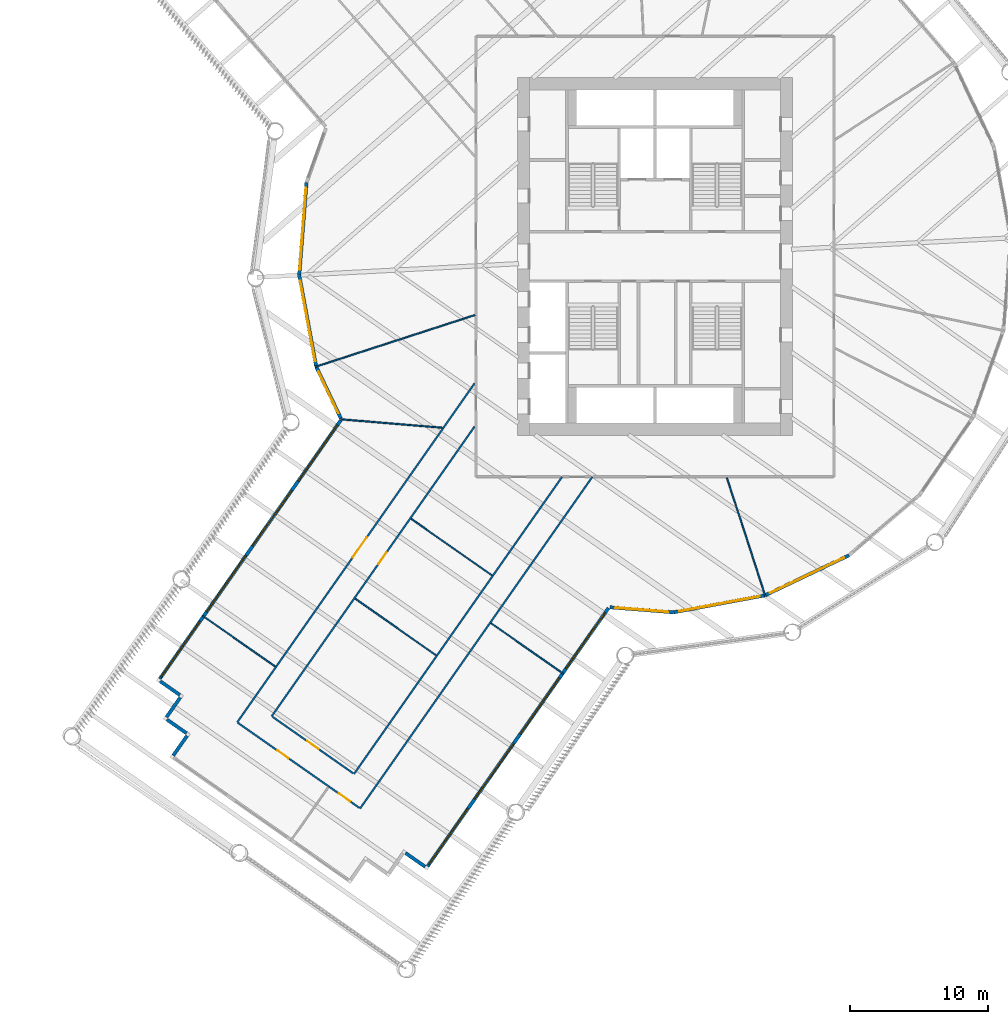
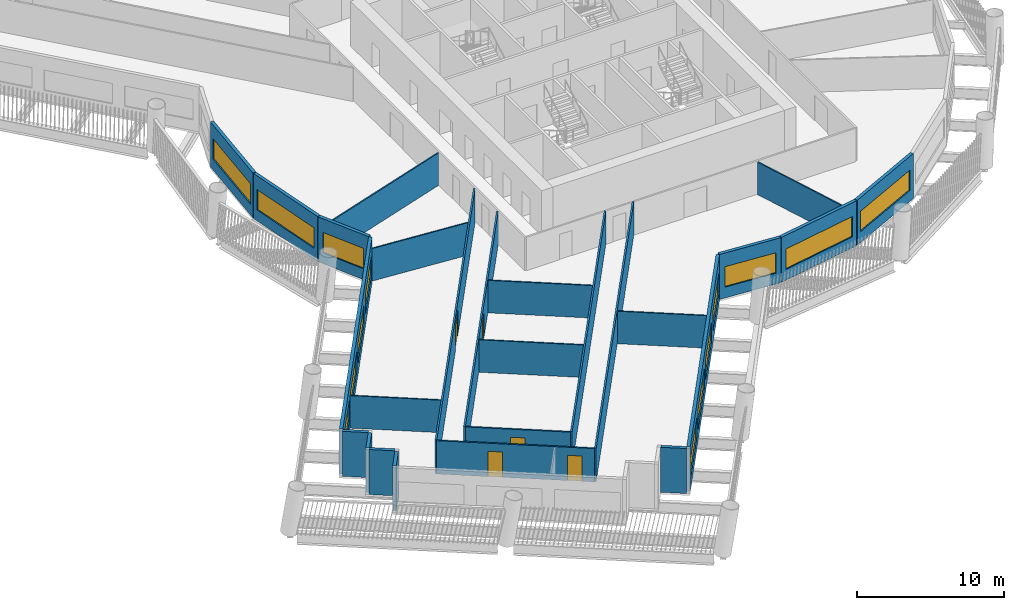
# One storey, part 3 of 15: 26 walls, 14 windows, 5 doors, 19 openings.
"""IFC4 building model written with IfcOpenShell, lengths in metres."""

from ifc_helpers import new_model, si_unit, direction, frame, frame_2d, origin, place, context, subcontext, project, spatial, rectangle, extrude, material, layer, layer_set, type_object, element, fill, save


model = new_model("IFC4")

# Units and contexts
model_context = context("Model", 3, precision=1e-05, world=origin(), true_north=direction((0.0, 1.0)))
body_context = subcontext(model_context, "Body", "Model", "MODEL_VIEW")
ifc_project = project(units=[si_unit("LENGTHUNIT", "METRE"), si_unit("AREAUNIT", "SQUARE_METRE"), si_unit("VOLUMEUNIT", "CUBIC_METRE"), si_unit("PLANEANGLEUNIT", "RADIAN"), si_unit("MASSUNIT", "GRAM", prefix="KILO")], contexts=[model_context])

# Site, building, storey
site_placement = place(None, origin())
site = spatial("IfcSite", under=ifc_project, at=site_placement, CompositionType="ELEMENT")
building_placement = place(site_placement, origin())
building = spatial("IfcBuilding", under=site, at=building_placement, Name="Tarsis Ring Headquarters", CompositionType="ELEMENT")
storey_placement = place(building_placement, frame((0.0, 0.0, 51.699951171875)))
storey = spatial("IfcBuildingStorey", under=building, at=storey_placement, Name="L10", CompositionType="ELEMENT", Elevation=51.699951171875)

# Walls
ifc_material_1 = material(Name="Gypsum board on steel studs", Category="steel")
ifc_layer_1 = layer(ifc_material_1, 0.10009765625)
ifc_layer_set_1 = layer_set([ifc_layer_1], Name="FL partition 100 unrated")
wall_type_1 = type_object("IfcWallType", Name="FL partition 100 unrated", PredefinedType="PARTITIONING", material=ifc_layer_set_1)
wall_1_placement = place(storey_placement, frame((-24.677978515625, -8.018310546875, 0.0), z_axis=(0.0, 0.0, 1.0), x_axis=(0.951059509412, 0.309007782356, 0.0)))
element("IfcWall", 1, at=wall_1_placement, inside=storey, type_object=wall_type_1, Name="Partition PW3", PredefinedType="PARTITIONING", context=body_context, shape_type="SweptSolid", body=[
    extrude(rectangle(XDim=12.19873046875, YDim=0.10009765625, at=frame_2d((6.099365234375, 0.0))), origin(), (0.0, 0.0, 1.0), 2.699951171875),
])
wall_2_placement = place(storey_placement, frame((5.223388671875, -16.076171875, 0.0), z_axis=(0.0, 0.0, 1.0), x_axis=(0.309019541971, -0.951055688527, 0.0)))
element("IfcWall", 2, at=wall_2_placement, inside=storey, type_object=wall_type_1, Name="Partition PW3", PredefinedType="PARTITIONING", context=body_context, shape_type="SweptSolid", body=[
    extrude(rectangle(XDim=9.04443359375, YDim=0.10009765625, at=frame_2d((4.522216796875, 0.0))), origin(), (0.0, 0.0, 1.0), 2.699951171875),
])
for number, where, z_axis, x_axis, name in (
    (3, (-21.768798828125, -24.847412109375, 0.0), (0.0, 0.0, 1.0), (0.819137396013, -0.573597355689, 0.0), "Partition PW3"),
    (4, (-17.7080078125, -19.048095703125, 0.0), (0.0, 0.0, 1.0), (0.819164634733, -0.573558454914, 0.0), "Partition PW3"),
):
    element("IfcWall", number, at=place(storey_placement, frame(where, z_axis=z_axis, x_axis=x_axis)), inside=storey, type_object=wall_type_1, Name=name, PredefinedType="PARTITIONING", context=body_context, shape_type="SweptSolid", body=[
        extrude(rectangle(XDim=7.159912109375, YDim=0.10009765625, at=frame_2d((3.580078125, 0.0))), origin(), (0.0, 0.0, 1.0), 2.699951171875),
    ])
wall_3_placement = place(storey_placement, frame((-22.833984375, -11.81982421875, 0.0), z_axis=(0.0, 0.0, 1.0), x_axis=(0.996565516824, -0.082808035102, 0.0)))
element("IfcWall", 5, at=wall_3_placement, inside=storey, type_object=wall_type_1, Name="Partition PW3", PredefinedType="PARTITIONING", context=body_context, shape_type="SweptSolid", body=[
    extrude(rectangle(XDim=7.403076171875, YDim=0.10009765625, at=frame_2d((3.70166015625, 0.0))), origin(), (0.0, 0.0, 1.0), 2.699951171875),
])
for number, where, z_axis, x_axis, name in (
    (6, (-11.905517578125, -26.626708984375, 0.0), (0.0, 0.0, 1.0), (0.819156993569, -0.573569367982, 0.0), "Partition PW3"),
    (7, (-32.852294921875, -26.083984375, 0.0), (0.0, 0.0, 1.0), (0.819156993569, -0.573569367982, 0.0), "Partition PW3"),
):
    element("IfcWall", number, at=place(storey_placement, frame(where, z_axis=z_axis, x_axis=x_axis)), inside=storey, type_object=wall_type_1, Name=name, PredefinedType="PARTITIONING", context=body_context, shape_type="SweptSolid", body=[
        extrude(rectangle(XDim=6.429931640625, YDim=0.10009765625, at=frame_2d((3.21484375, 0.0))), origin(), (0.0, 0.0, 1.0), 2.699951171875),
    ])

# Wall, opening, door
ifc_layer_2 = layer(ifc_material_1, 0.125)
ifc_layer_set_2 = layer_set([ifc_layer_2], Name="FL partition 125 EI 60 H2770")
wall_type_2 = type_object("IfcWallType", Name="FL partition 125 EI 60 H2770", PredefinedType="PARTITIONING", material=ifc_layer_set_2)
wall_4_placement = place(storey_placement, frame((-30.33837890625, -33.825927734375, 0.0), z_axis=(0.0, 0.0, 1.0), x_axis=(0.573576850682, 0.819151754171, 0.0)))
wall_4 = element("IfcWall", 8, at=wall_4_placement, inside=storey, type_object=wall_type_2, Name="Partition PW1", PredefinedType="PARTITIONING", context=body_context, shape_type="SweptSolid", body=[
    extrude(rectangle(XDim=30.048583984375, YDim=0.125, at=frame_2d((15.0244140625, 0.0))), origin(), (0.0, 0.0, 1.0), 2.77001953125),
])
opening_1_placement = place(wall_4_placement, frame((14.602294921875, 0.0, 0.0)))
opening_1 = element("IfcOpeningElement", 9, at=opening_1_placement, cuts=wall_4, Name="Opening D10.12", PredefinedType="OPENING", context=body_context, shape_type="SweptSolid", body=[
    extrude(rectangle(XDim=1.800048828125, YDim=2.10009765625, at=frame_2d((0.89990234375, 1.050048828125))), frame((0.0, 0.072509765625, 0.0), z_axis=(0.0, -1.0, 0.0), x_axis=(1.0, 0.0, 0.0)), (0.0, 0.0, 1.0), 0.14501953125),
])
ifc_material_2 = material(Name="Fire-rated timber door leaf in steel frame", Category="steel")
door_type_1 = type_object("IfcDoorType", Name="FL door FD60-1800", OperationType="DOUBLE_DOOR_SINGLE_SWING", PredefinedType="DOOR", material=ifc_material_2)
door_1_placement = place(opening_1_placement, origin())
door_1 = element("IfcDoor", 10, at=door_1_placement, inside=storey, type_object=door_type_1, Name="Door D10.12", OperationType="DOUBLE_DOOR_SINGLE_SWING", OverallHeight=2.10009765625, OverallWidth=1.800048828125, PredefinedType="DOOR", context=body_context, shape_type="SweptSolid", body=[
    extrude(rectangle(XDim=1.800048828125, YDim=2.10009765625, at=frame_2d((0.89990234375, 1.050048828125))), frame((0.0, 0.02490234375, 0.0), z_axis=(0.0, -1.0, 0.0), x_axis=(1.0, 0.0, 0.0)), (0.0, 0.0, 1.0), 0.050048828125),
])
fill(opening_1, door_1)

# Walls
wall_5_placement = place(storey_placement, frame((-21.40966796875, -40.077880859375, 0.0), z_axis=(0.0, 0.0, 1.0), x_axis=(0.573578843798, 0.819150358571, 0.0)))
element("IfcWall", 11, at=wall_5_placement, inside=storey, type_object=wall_type_2, Name="Partition PW1", PredefinedType="PARTITIONING", context=body_context, shape_type="SweptSolid", body=[
    extrude(rectangle(XDim=29.393798828125, YDim=0.125, at=frame_2d((14.69677734375, 0.0))), origin(), (0.0, 0.0, 1.0), 2.77001953125),
])
wall_6_placement = place(storey_placement, frame((-21.851806640625, -37.571044921875, 0.0), z_axis=(0.0, 0.0, 1.0), x_axis=(0.573577450138, 0.819151334427, 0.0)))
element("IfcWall", 12, at=wall_6_placement, inside=storey, type_object=wall_type_2, Name="Partition PW1", PredefinedType="PARTITIONING", context=body_context, shape_type="SweptSolid", body=[
    extrude(rectangle(XDim=26.33349609375, YDim=0.125, at=frame_2d((13.166748046875, 0.0))), origin(), (0.0, 0.0, 1.0), 2.77001953125),
])

# Wall, opening, door
wall_7_placement = place(storey_placement, frame((-27.83154296875, -33.3837890625, 0.0), z_axis=(0.0, 0.0, 1.0), x_axis=(0.573580388962, 0.819149276627, 0.0)))
wall_7 = element("IfcWall", 13, at=wall_7_placement, inside=storey, type_object=wall_type_2, Name="Partition PW1", PredefinedType="PARTITIONING", context=body_context, shape_type="SweptSolid", body=[
    extrude(rectangle(XDim=25.677734375, YDim=0.125, at=frame_2d((12.8388671875, 0.0))), origin(), (0.0, 0.0, 1.0), 2.77001953125),
])
opening_2_placement = place(wall_7_placement, frame((13.513427734375, 0.0, 0.0)))
opening_2 = element("IfcOpeningElement", 14, at=opening_2_placement, cuts=wall_7, Name="Opening D10.18", PredefinedType="OPENING", context=body_context, shape_type="SweptSolid", body=[
    extrude(rectangle(XDim=1.0, YDim=2.10009765625, at=frame_2d((0.5, 1.050048828125))), frame((0.0, 0.072509765625, 0.0), z_axis=(0.0, -1.0, 0.0), x_axis=(1.0, 0.0, 0.0)), (0.0, 0.0, 1.0), 0.14501953125),
])
door_type_2 = type_object("IfcDoorType", Name="FL door FD60-1000", OperationType="NOTDEFINED", PredefinedType="DOOR", material=ifc_material_2)
door_2_placement = place(opening_2_placement, origin())
door_2 = element("IfcDoor", 15, at=door_2_placement, inside=storey, type_object=door_type_2, Name="Door D10.18", OperationType="SINGLE_SWING_RIGHT", OverallHeight=2.10009765625, OverallWidth=1.0, PredefinedType="DOOR", context=body_context, shape_type="SweptSolid", body=[
    extrude(rectangle(XDim=1.0, YDim=2.10009765625, at=frame_2d((0.5, 1.050048828125))), frame((0.0, 0.02490234375, 0.0), z_axis=(0.0, -1.0, 0.0), x_axis=(1.0, 0.0, 0.0)), (0.0, 0.0, 1.0), 0.050048828125),
])
fill(opening_2, door_2)

# Wall, openings, doors
wall_8_placement = place(storey_placement, frame((-30.289306640625, -33.8603515625, 0.0), z_axis=(0.0, 0.0, 1.0), x_axis=(0.819157435494, -0.573568736835, 0.0)))
wall_8 = element("IfcWall", 16, at=wall_8_placement, inside=storey, type_object=wall_type_2, Name="Partition PW1", PredefinedType="PARTITIONING", context=body_context, shape_type="SweptSolid", body=[
    extrude(rectangle(XDim=10.780029296875, YDim=0.125, at=frame_2d((5.39013671875, 0.0))), origin(), (0.0, 0.0, 1.0), 2.77001953125),
])
opening_3_placement = place(wall_8_placement, frame((8.9482421875, 0.0, 0.0)))
opening_3 = element("IfcOpeningElement", 17, at=opening_3_placement, cuts=wall_8, Name="Opening D10.10", PredefinedType="OPENING", context=body_context, shape_type="SweptSolid", body=[
    extrude(rectangle(XDim=1.0, YDim=2.10009765625, at=frame_2d((0.5, 1.050048828125))), frame((0.0, 0.072509765625, 0.0), z_axis=(0.0, -1.0, 0.0), x_axis=(1.0, 0.0, 0.0)), (0.0, 0.0, 1.0), 0.14501953125),
])
opening_4_placement = place(wall_8_placement, frame((3.498291015625, 0.0, 0.0)))
opening_4 = element("IfcOpeningElement", 18, at=opening_4_placement, cuts=wall_8, Name="Opening D10.11", PredefinedType="OPENING", context=body_context, shape_type="SweptSolid", body=[
    extrude(rectangle(XDim=1.0, YDim=2.10009765625, at=frame_2d((0.5, 1.050048828125))), frame((0.0, 0.072509765625, 0.0), z_axis=(0.0, -1.0, 0.0), x_axis=(1.0, 0.0, 0.0)), (0.0, 0.0, 1.0), 0.14501953125),
])
door_3_placement = place(opening_3_placement, origin())
door_3 = element("IfcDoor", 19, at=door_3_placement, inside=storey, type_object=door_type_2, Name="Door D10.10", OperationType="SINGLE_SWING_RIGHT", OverallHeight=2.10009765625, OverallWidth=1.0, PredefinedType="DOOR", context=body_context, shape_type="SweptSolid", body=[
    extrude(rectangle(XDim=1.0, YDim=2.10009765625, at=frame_2d((0.5, 1.050048828125))), frame((0.0, 0.02490234375, 0.0), z_axis=(0.0, -1.0, 0.0), x_axis=(1.0, 0.0, 0.0)), (0.0, 0.0, 1.0), 0.050048828125),
])
fill(opening_3, door_3)
door_4_placement = place(opening_4_placement, origin())
door_4 = element("IfcDoor", 20, at=door_4_placement, inside=storey, type_object=door_type_2, Name="Door D10.11", OperationType="SINGLE_SWING_LEFT", OverallHeight=2.10009765625, OverallWidth=1.0, PredefinedType="DOOR", context=body_context, shape_type="SweptSolid", body=[
    extrude(rectangle(XDim=1.0, YDim=2.10009765625, at=frame_2d((0.5, 1.050048828125))), frame((0.0, 0.02490234375, 0.0), z_axis=(0.0, -1.0, 0.0), x_axis=(1.0, 0.0, 0.0)), (0.0, 0.0, 1.0), 0.050048828125),
])
fill(opening_4, door_4)

# Wall, opening, door
wall_9_placement = place(storey_placement, frame((-27.782470703125, -33.418212890625, 0.0), z_axis=(0.0, 0.0, 1.0), x_axis=(0.819147248369, -0.573583285573, 0.0)))
wall_9 = element("IfcWall", 21, at=wall_9_placement, inside=storey, type_object=wall_type_2, Name="Partition PW1", PredefinedType="PARTITIONING", context=body_context, shape_type="SweptSolid", body=[
    extrude(rectangle(XDim=7.18017578125, YDim=0.125, at=frame_2d((3.590087890625, 0.0))), origin(), (0.0, 0.0, 1.0), 2.77001953125),
])
opening_5_placement = place(wall_9_placement, frame((3.090087890625, 0.0, 0.0)))
opening_5 = element("IfcOpeningElement", 22, at=opening_5_placement, cuts=wall_9, Name="Opening D10.19", PredefinedType="OPENING", context=body_context, shape_type="SweptSolid", body=[
    extrude(rectangle(XDim=1.0, YDim=2.10009765625, at=frame_2d((0.5, 1.050048828125))), frame((0.0, 0.072509765625, 0.0), z_axis=(0.0, -1.0, 0.0), x_axis=(1.0, 0.0, 0.0)), (0.0, 0.0, 1.0), 0.14501953125),
])
door_5_placement = place(opening_5_placement, origin())
door_5 = element("IfcDoor", 23, at=door_5_placement, inside=storey, type_object=door_type_2, Name="Door D10.19", OperationType="SINGLE_SWING_LEFT", OverallHeight=2.10009765625, OverallWidth=1.0, PredefinedType="DOOR", context=body_context, shape_type="SweptSolid", body=[
    extrude(rectangle(XDim=1.0, YDim=2.10009765625, at=frame_2d((0.5, 1.050048828125))), frame((0.0, 0.02490234375, 0.0), z_axis=(0.0, -1.0, 0.0), x_axis=(1.0, 0.0, 0.0)), (0.0, 0.0, 1.0), 0.050048828125),
])
fill(opening_5, door_5)

# Wall, opening, window
ifc_material_3 = material(Name="Terracotta clad insulated panel wall", Category="masonry")
ifc_layer_3 = layer(ifc_material_3, 0.25)
ifc_layer_set_3 = layer_set([ifc_layer_3], Name="Facade wall terracotta panel 250")
wall_type_3 = type_object("IfcWallType", Name="Facade wall terracotta panel 250", PredefinedType="STANDARD", material=ifc_layer_set_3)
wall_10_placement = place(storey_placement, frame((-25.309814453125, 5.363037109375, 0.0), z_axis=(0.0, 0.0, 1.0), x_axis=(-0.078457397419, -0.996917467391, 0.0)))
wall_10 = element("IfcWall", 24, at=wall_10_placement, inside=storey, type_object=wall_type_3, Name="External wall L10-03", PredefinedType="STANDARD", context=body_context, shape_type="SweptSolid", body=[
    extrude(rectangle(XDim=6.721435546875, YDim=0.25, at=frame_2d((3.36083984375, 0.0))), origin(), (0.0, 0.0, 1.0), 3.739990234375),
])
opening_6_placement = place(wall_10_placement, frame((0.3857421875, 0.0, 0.89990234375)))
opening_6 = element("IfcOpeningElement", 25, at=opening_6_placement, cuts=wall_10, Name="Opening WN07", PredefinedType="OPENING", context=body_context, shape_type="SweptSolid", body=[
    extrude(rectangle(XDim=5.949951171875, YDim=1.699951171875, at=frame_2d((2.97509765625, 0.85009765625))), frame((0.0, 0.135009765625, 0.0), z_axis=(0.0, -1.0, 0.0), x_axis=(1.0, 0.0, 0.0)), (0.0, 0.0, 1.0), 0.27001953125),
])
ifc_material_4 = material(Name="Aluminium framed double glazing", Category="aluminium")
window_type_1 = type_object("IfcWindowType", Name="Facade window 5950 x 1700", PartitioningType="SINGLE_PANEL", PredefinedType="WINDOW", material=ifc_material_4)
window_1_placement = place(opening_6_placement, origin())
window_1 = element("IfcWindow", 26, at=window_1_placement, inside=storey, type_object=window_type_1, Name="Window L10-03.1", OverallHeight=1.699951171875, OverallWidth=5.949951171875, PartitioningType="SINGLE_PANEL", PredefinedType="WINDOW", context=body_context, shape_type="SweptSolid", body=[
    extrude(rectangle(XDim=5.949951171875, YDim=1.699951171875, at=frame_2d((2.97509765625, 0.85009765625))), frame((0.0, 0.030029296875, 0.0), z_axis=(0.0, -1.0, 0.0), x_axis=(1.0, 0.0, 0.0)), (0.0, 0.0, 1.0), 0.06005859375),
])
fill(opening_6, window_1)

wall_11_placement = place(storey_placement, frame((-25.83544921875, -1.370361328125, 0.0), z_axis=(0.0, 0.0, 1.0), x_axis=(0.182231032472, -0.983255740285, 0.0)))
wall_11 = element("IfcWall", 27, at=wall_11_placement, inside=storey, type_object=wall_type_3, Name="External wall L10-04", PredefinedType="STANDARD", context=body_context, shape_type="SweptSolid", body=[
    extrude(rectangle(XDim=6.721435546875, YDim=0.25, at=frame_2d((3.36083984375, 0.0))), origin(), (0.0, 0.0, 1.0), 3.739990234375),
])
opening_7_placement = place(wall_11_placement, frame((0.3857421875, 0.0, 0.89990234375)))
opening_7 = element("IfcOpeningElement", 28, at=opening_7_placement, cuts=wall_11, Name="Opening WN07", PredefinedType="OPENING", context=body_context, shape_type="SweptSolid", body=[
    extrude(rectangle(XDim=5.949951171875, YDim=1.699951171875, at=frame_2d((2.97509765625, 0.85009765625))), frame((0.0, 0.135009765625, 0.0), z_axis=(0.0, -1.0, 0.0), x_axis=(1.0, 0.0, 0.0)), (0.0, 0.0, 1.0), 0.27001953125),
])
window_2_placement = place(opening_7_placement, origin())
window_2 = element("IfcWindow", 29, at=window_2_placement, inside=storey, type_object=window_type_1, Name="Window L10-04.1", OverallHeight=1.699951171875, OverallWidth=5.949951171875, PartitioningType="SINGLE_PANEL", PredefinedType="WINDOW", context=body_context, shape_type="SweptSolid", body=[
    extrude(rectangle(XDim=5.949951171875, YDim=1.699951171875, at=frame_2d((2.97509765625, 0.85009765625))), frame((0.0, 0.030029296875, 0.0), z_axis=(0.0, -1.0, 0.0), x_axis=(1.0, 0.0, 0.0)), (0.0, 0.0, 1.0), 0.06005859375),
])
fill(opening_7, window_2)

wall_12_placement = place(storey_placement, frame((-24.6005859375, -8.01025390625, 0.0), z_axis=(0.0, 0.0, 1.0), x_axis=(0.430530665935, -0.902575950095, 0.0)))
wall_12 = element("IfcWall", 30, at=wall_12_placement, inside=storey, type_object=wall_type_3, Name="External wall L10-05", PredefinedType="STANDARD", context=body_context, shape_type="SweptSolid", body=[
    extrude(rectangle(XDim=4.15771484375, YDim=0.25, at=frame_2d((2.078857421875, 0.0))), origin(), (0.0, 0.0, 1.0), 3.739990234375),
])
opening_8_placement = place(wall_12_placement, frame((0.38720703125, 0.0, 0.89990234375)))
opening_8 = element("IfcOpeningElement", 31, at=opening_8_placement, cuts=wall_12, Name="Opening WN01", PredefinedType="OPENING", context=body_context, shape_type="SweptSolid", body=[
    extrude(rectangle(XDim=3.35009765625, YDim=1.699951171875, at=frame_2d((1.675048828125, 0.85009765625))), frame((0.0, 0.135009765625, 0.0), z_axis=(0.0, -1.0, 0.0), x_axis=(1.0, 0.0, 0.0)), (0.0, 0.0, 1.0), 0.27001953125),
])
window_type_2 = type_object("IfcWindowType", Name="Facade window 3350 x 1700", PartitioningType="SINGLE_PANEL", PredefinedType="WINDOW", material=ifc_material_4)
window_3_placement = place(opening_8_placement, origin())
window_3 = element("IfcWindow", 32, at=window_3_placement, inside=storey, type_object=window_type_2, Name="Window L10-05.1", OverallHeight=1.699951171875, OverallWidth=3.35009765625, PartitioningType="SINGLE_PANEL", PredefinedType="WINDOW", context=body_context, shape_type="SweptSolid", body=[
    extrude(rectangle(XDim=3.35009765625, YDim=1.699951171875, at=frame_2d((1.675048828125, 0.85009765625))), frame((0.0, 0.030029296875, 0.0), z_axis=(0.0, -1.0, 0.0), x_axis=(1.0, 0.0, 0.0)), (0.0, 0.0, 1.0), 0.06005859375),
])
fill(opening_8, window_3)

# Wall, openings, windows
wall_13_placement = place(storey_placement, frame((-22.821044921875, -11.888427734375, 0.0), z_axis=(0.0, 0.0, 1.0), x_axis=(-0.573574567036, -0.819153353194, 0.0)))
wall_13 = element("IfcWall", 33, at=wall_13_placement, inside=storey, type_object=wall_type_3, Name="External wall L10-06", PredefinedType="STANDARD", context=body_context, shape_type="SweptSolid", body=[
    extrude(rectangle(XDim=22.921875, YDim=0.25, at=frame_2d((11.4609375, 0.0))), origin(), (0.0, 0.0, 1.0), 3.739990234375),
])
opening_9_placement = place(wall_13_placement, frame((0.42138671875, 0.0, 0.89990234375)))
opening_9 = element("IfcOpeningElement", 34, at=opening_9_placement, cuts=wall_13, Name="Opening WN05", PredefinedType="OPENING", context=body_context, shape_type="SweptSolid", body=[
    extrude(rectangle(XDim=4.949951171875, YDim=1.699951171875, at=frame_2d((2.47509765625, 0.85009765625))), frame((0.0, 0.135009765625, 0.0), z_axis=(0.0, -1.0, 0.0), x_axis=(1.0, 0.0, 0.0)), (0.0, 0.0, 1.0), 0.27001953125),
])
opening_10_placement = place(wall_13_placement, frame((6.214599609375, 0.0, 0.89990234375)))
opening_10 = element("IfcOpeningElement", 35, at=opening_10_placement, cuts=wall_13, Name="Opening WN05", PredefinedType="OPENING", context=body_context, shape_type="SweptSolid", body=[
    extrude(rectangle(XDim=4.949951171875, YDim=1.699951171875, at=frame_2d((2.47509765625, 0.85009765625))), frame((0.0, 0.135009765625, 0.0), z_axis=(0.0, -1.0, 0.0), x_axis=(1.0, 0.0, 0.0)), (0.0, 0.0, 1.0), 0.27001953125),
])
opening_11_placement = place(wall_13_placement, frame((12.007568359375, 0.0, 0.89990234375)))
opening_11 = element("IfcOpeningElement", 36, at=opening_11_placement, cuts=wall_13, Name="Opening WN05", PredefinedType="OPENING", context=body_context, shape_type="SweptSolid", body=[
    extrude(rectangle(XDim=4.949951171875, YDim=1.699951171875, at=frame_2d((2.47509765625, 0.85009765625))), frame((0.0, 0.135009765625, 0.0), z_axis=(0.0, -1.0, 0.0), x_axis=(1.0, 0.0, 0.0)), (0.0, 0.0, 1.0), 0.27001953125),
])
opening_12_placement = place(wall_13_placement, frame((17.800537109375, 0.0, 0.89990234375)))
opening_12 = element("IfcOpeningElement", 37, at=opening_12_placement, cuts=wall_13, Name="Opening WN05", PredefinedType="OPENING", context=body_context, shape_type="SweptSolid", body=[
    extrude(rectangle(XDim=4.949951171875, YDim=1.699951171875, at=frame_2d((2.47509765625, 0.85009765625))), frame((0.0, 0.135009765625, 0.0), z_axis=(0.0, -1.0, 0.0), x_axis=(1.0, 0.0, 0.0)), (0.0, 0.0, 1.0), 0.27001953125),
])
window_type_3 = type_object("IfcWindowType", Name="Facade window 4950 x 1700", PartitioningType="SINGLE_PANEL", PredefinedType="WINDOW", material=ifc_material_4)
window_4_placement = place(opening_9_placement, origin())
window_4 = element("IfcWindow", 38, at=window_4_placement, inside=storey, type_object=window_type_3, Name="Window L10-06.1", OverallHeight=1.699951171875, OverallWidth=4.949951171875, PartitioningType="SINGLE_PANEL", PredefinedType="WINDOW", context=body_context, shape_type="SweptSolid", body=[
    extrude(rectangle(XDim=4.949951171875, YDim=1.699951171875, at=frame_2d((2.47509765625, 0.85009765625))), frame((0.0, 0.030029296875, 0.0), z_axis=(0.0, -1.0, 0.0), x_axis=(1.0, 0.0, 0.0)), (0.0, 0.0, 1.0), 0.06005859375),
])
fill(opening_9, window_4)
window_5_placement = place(opening_10_placement, origin())
window_5 = element("IfcWindow", 39, at=window_5_placement, inside=storey, type_object=window_type_3, Name="Window L10-06.2", OverallHeight=1.699951171875, OverallWidth=4.949951171875, PartitioningType="SINGLE_PANEL", PredefinedType="WINDOW", context=body_context, shape_type="SweptSolid", body=[
    extrude(rectangle(XDim=4.949951171875, YDim=1.699951171875, at=frame_2d((2.47509765625, 0.85009765625))), frame((0.0, 0.030029296875, 0.0), z_axis=(0.0, -1.0, 0.0), x_axis=(1.0, 0.0, 0.0)), (0.0, 0.0, 1.0), 0.06005859375),
])
fill(opening_10, window_5)
window_6_placement = place(opening_11_placement, origin())
window_6 = element("IfcWindow", 40, at=window_6_placement, inside=storey, type_object=window_type_3, Name="Window L10-06.3", OverallHeight=1.699951171875, OverallWidth=4.949951171875, PartitioningType="SINGLE_PANEL", PredefinedType="WINDOW", context=body_context, shape_type="SweptSolid", body=[
    extrude(rectangle(XDim=4.949951171875, YDim=1.699951171875, at=frame_2d((2.47509765625, 0.85009765625))), frame((0.0, 0.030029296875, 0.0), z_axis=(0.0, -1.0, 0.0), x_axis=(1.0, 0.0, 0.0)), (0.0, 0.0, 1.0), 0.06005859375),
])
fill(opening_11, window_6)
window_7_placement = place(opening_12_placement, origin())
window_7 = element("IfcWindow", 41, at=window_7_placement, inside=storey, type_object=window_type_3, Name="Window L10-06.4", OverallHeight=1.699951171875, OverallWidth=4.949951171875, PartitioningType="SINGLE_PANEL", PredefinedType="WINDOW", context=body_context, shape_type="SweptSolid", body=[
    extrude(rectangle(XDim=4.949951171875, YDim=1.699951171875, at=frame_2d((2.47509765625, 0.85009765625))), frame((0.0, 0.030029296875, 0.0), z_axis=(0.0, -1.0, 0.0), x_axis=(1.0, 0.0, 0.0)), (0.0, 0.0, 1.0), 0.06005859375),
])
fill(opening_12, window_7)

# Walls
wall_14_placement = place(storey_placement, frame((-35.937744140625, -30.839111328125, 0.0), z_axis=(0.0, 0.0, 1.0), x_axis=(0.819146698696, -0.573584070574, 0.0)))
element("IfcWall", 42, at=wall_14_placement, inside=storey, type_object=wall_type_3, Name="External wall L10-07", PredefinedType="STANDARD", context=body_context, shape_type="SweptSolid", body=[
    extrude(rectangle(XDim=1.749755859375, YDim=0.25, at=frame_2d((0.875, 0.0))), origin(), (0.0, 0.0, 1.0), 3.739990234375),
])
for number, where, z_axis, x_axis, name in (
    (43, (-34.4736328125, -32.016845703125, 0.0), (0.0, 0.0, 1.0), (-0.573518520844, -0.819192594113, 0.0), "External wall L10-08"),
    (44, (-35.44677734375, -33.62451171875, 0.0), (0.0, 0.0, 1.0), (0.819192594113, -0.573518520844, 0.0), "External wall L10-09"),
    (45, (-33.982421875, -34.802490234375, 0.0), (0.0, 0.0, 1.0), (-0.573677680271, -0.819081143208, 0.0), "External wall L10-10"),
    (46, (-18.121337890625, -43.314453125, 0.0), (0.0, 0.0, 1.0), (0.819192594113, -0.573518520844, 0.0), "External wall L10-15"),
):
    element("IfcWall", number, at=place(storey_placement, frame(where, z_axis=z_axis, x_axis=x_axis)), inside=storey, type_object=wall_type_3, Name=name, PredefinedType="STANDARD", context=body_context, shape_type="SweptSolid", body=[
        extrude(rectangle(XDim=1.75, YDim=0.25, at=frame_2d((0.875, 0.0))), origin(), (0.0, 0.0, 1.0), 3.739990234375),
    ])

# Wall, openings, windows
wall_15_placement = place(storey_placement, frame((-16.513671875, -44.287353515625, 0.0), z_axis=(0.0, 0.0, 1.0), x_axis=(0.573581822612, 0.819148272762, 0.0)))
wall_15 = element("IfcWall", 47, at=wall_15_placement, inside=storey, type_object=wall_type_3, Name="External wall L10-16", PredefinedType="STANDARD", context=body_context, shape_type="SweptSolid", body=[
    extrude(rectangle(XDim=22.9013671875, YDim=0.25, at=frame_2d((11.45068359375, 0.0))), origin(), (0.0, 0.0, 1.0), 3.739990234375),
])
opening_13_placement = place(wall_15_placement, frame((0.1689453125, 0.0, 0.89990234375)))
opening_13 = element("IfcOpeningElement", 48, at=opening_13_placement, cuts=wall_15, Name="Opening WN05", PredefinedType="OPENING", context=body_context, shape_type="SweptSolid", body=[
    extrude(rectangle(XDim=4.949951171875, YDim=1.699951171875, at=frame_2d((2.47509765625, 0.85009765625))), frame((0.0, 0.135009765625, 0.0), z_axis=(0.0, -1.0, 0.0), x_axis=(1.0, 0.0, 0.0)), (0.0, 0.0, 1.0), 0.27001953125),
])
opening_14_placement = place(wall_15_placement, frame((5.956787109375, 0.0, 0.89990234375)))
opening_14 = element("IfcOpeningElement", 49, at=opening_14_placement, cuts=wall_15, Name="Opening WN05", PredefinedType="OPENING", context=body_context, shape_type="SweptSolid", body=[
    extrude(rectangle(XDim=4.949951171875, YDim=1.699951171875, at=frame_2d((2.47509765625, 0.85009765625))), frame((0.0, 0.135009765625, 0.0), z_axis=(0.0, -1.0, 0.0), x_axis=(1.0, 0.0, 0.0)), (0.0, 0.0, 1.0), 0.27001953125),
])
opening_15_placement = place(wall_15_placement, frame((11.74462890625, 0.0, 0.89990234375)))
opening_15 = element("IfcOpeningElement", 50, at=opening_15_placement, cuts=wall_15, Name="Opening WN05", PredefinedType="OPENING", context=body_context, shape_type="SweptSolid", body=[
    extrude(rectangle(XDim=4.949951171875, YDim=1.699951171875, at=frame_2d((2.47509765625, 0.85009765625))), frame((0.0, 0.135009765625, 0.0), z_axis=(0.0, -1.0, 0.0), x_axis=(1.0, 0.0, 0.0)), (0.0, 0.0, 1.0), 0.27001953125),
])
opening_16_placement = place(wall_15_placement, frame((17.532470703125, 0.0, 0.89990234375)))
opening_16 = element("IfcOpeningElement", 51, at=opening_16_placement, cuts=wall_15, Name="Opening WN05", PredefinedType="OPENING", context=body_context, shape_type="SweptSolid", body=[
    extrude(rectangle(XDim=4.949951171875, YDim=1.699951171875, at=frame_2d((2.47509765625, 0.85009765625))), frame((0.0, 0.135009765625, 0.0), z_axis=(0.0, -1.0, 0.0), x_axis=(1.0, 0.0, 0.0)), (0.0, 0.0, 1.0), 0.27001953125),
])
window_8_placement = place(opening_13_placement, origin())
window_8 = element("IfcWindow", 52, at=window_8_placement, inside=storey, type_object=window_type_3, Name="Window L10-16.1", OverallHeight=1.699951171875, OverallWidth=4.949951171875, PartitioningType="SINGLE_PANEL", PredefinedType="WINDOW", context=body_context, shape_type="SweptSolid", body=[
    extrude(rectangle(XDim=4.949951171875, YDim=1.699951171875, at=frame_2d((2.47509765625, 0.85009765625))), frame((0.0, 0.030029296875, 0.0), z_axis=(0.0, -1.0, 0.0), x_axis=(1.0, 0.0, 0.0)), (0.0, 0.0, 1.0), 0.06005859375),
])
fill(opening_13, window_8)
window_9_placement = place(opening_14_placement, origin())
window_9 = element("IfcWindow", 53, at=window_9_placement, inside=storey, type_object=window_type_3, Name="Window L10-16.2", OverallHeight=1.699951171875, OverallWidth=4.949951171875, PartitioningType="SINGLE_PANEL", PredefinedType="WINDOW", context=body_context, shape_type="SweptSolid", body=[
    extrude(rectangle(XDim=4.949951171875, YDim=1.699951171875, at=frame_2d((2.47509765625, 0.85009765625))), frame((0.0, 0.030029296875, 0.0), z_axis=(0.0, -1.0, 0.0), x_axis=(1.0, 0.0, 0.0)), (0.0, 0.0, 1.0), 0.06005859375),
])
fill(opening_14, window_9)
window_10_placement = place(opening_15_placement, origin())
window_10 = element("IfcWindow", 54, at=window_10_placement, inside=storey, type_object=window_type_3, Name="Window L10-16.3", OverallHeight=1.699951171875, OverallWidth=4.949951171875, PartitioningType="SINGLE_PANEL", PredefinedType="WINDOW", context=body_context, shape_type="SweptSolid", body=[
    extrude(rectangle(XDim=4.949951171875, YDim=1.699951171875, at=frame_2d((2.47509765625, 0.85009765625))), frame((0.0, 0.030029296875, 0.0), z_axis=(0.0, -1.0, 0.0), x_axis=(1.0, 0.0, 0.0)), (0.0, 0.0, 1.0), 0.06005859375),
])
fill(opening_15, window_10)
window_11_placement = place(opening_16_placement, origin())
window_11 = element("IfcWindow", 55, at=window_11_placement, inside=storey, type_object=window_type_3, Name="Window L10-16.4", OverallHeight=1.699951171875, OverallWidth=4.949951171875, PartitioningType="SINGLE_PANEL", PredefinedType="WINDOW", context=body_context, shape_type="SweptSolid", body=[
    extrude(rectangle(XDim=4.949951171875, YDim=1.699951171875, at=frame_2d((2.47509765625, 0.85009765625))), frame((0.0, 0.030029296875, 0.0), z_axis=(0.0, -1.0, 0.0), x_axis=(1.0, 0.0, 0.0)), (0.0, 0.0, 1.0), 0.06005859375),
])
fill(opening_16, window_11)

# Wall, opening, window
wall_16_placement = place(storey_placement, frame((-3.265869140625, -25.474853515625, 0.0), z_axis=(0.0, 0.0, 1.0), x_axis=(0.996917331185, -0.078459128101, 0.0)))
wall_16 = element("IfcWall", 56, at=wall_16_placement, inside=storey, type_object=wall_type_3, Name="External wall L10-17", PredefinedType="STANDARD", context=body_context, shape_type="SweptSolid", body=[
    extrude(rectangle(XDim=4.61767578125, YDim=0.25, at=frame_2d((2.308837890625, 0.0))), origin(), (0.0, 0.0, 1.0), 3.739990234375),
])
opening_17_placement = place(wall_16_placement, frame((0.400390625, 0.0, 0.89990234375)))
opening_17 = element("IfcOpeningElement", 57, at=opening_17_placement, cuts=wall_16, Name="Opening WN02", PredefinedType="OPENING", context=body_context, shape_type="SweptSolid", body=[
    extrude(rectangle(XDim=3.85009765625, YDim=1.699951171875, at=frame_2d((1.925048828125, 0.85009765625))), frame((0.0, 0.135009765625, 0.0), z_axis=(0.0, -1.0, 0.0), x_axis=(1.0, 0.0, 0.0)), (0.0, 0.0, 1.0), 0.27001953125),
])
window_type_4 = type_object("IfcWindowType", Name="Facade window 3850 x 1700", PartitioningType="SINGLE_PANEL", PredefinedType="WINDOW", material=ifc_material_4)
window_12_placement = place(opening_17_placement, origin())
window_12 = element("IfcWindow", 58, at=window_12_placement, inside=storey, type_object=window_type_4, Name="Window L10-17.1", OverallHeight=1.699951171875, OverallWidth=3.85009765625, PartitioningType="SINGLE_PANEL", PredefinedType="WINDOW", context=body_context, shape_type="SweptSolid", body=[
    extrude(rectangle(XDim=3.85009765625, YDim=1.699951171875, at=frame_2d((1.925048828125, 0.85009765625))), frame((0.0, 0.030029296875, 0.0), z_axis=(0.0, -1.0, 0.0), x_axis=(1.0, 0.0, 0.0)), (0.0, 0.0, 1.0), 0.06005859375),
])
fill(opening_17, window_12)

wall_17_placement = place(storey_placement, frame((1.370361328125, -25.83544921875, 0.0), z_axis=(0.0, 0.0, 1.0), x_axis=(0.983255740285, 0.182231032472, 0.0)))
wall_17 = element("IfcWall", 59, at=wall_17_placement, inside=storey, type_object=wall_type_3, Name="External wall L10-18", PredefinedType="STANDARD", context=body_context, shape_type="SweptSolid", body=[
    extrude(rectangle(XDim=6.721435546875, YDim=0.25, at=frame_2d((3.36083984375, 0.0))), origin(), (0.0, 0.0, 1.0), 3.739990234375),
])
opening_18_placement = place(wall_17_placement, frame((0.3857421875, 0.0, 0.89990234375)))
opening_18 = element("IfcOpeningElement", 60, at=opening_18_placement, cuts=wall_17, Name="Opening WN07", PredefinedType="OPENING", context=body_context, shape_type="SweptSolid", body=[
    extrude(rectangle(XDim=5.949951171875, YDim=1.699951171875, at=frame_2d((2.97509765625, 0.85009765625))), frame((0.0, 0.135009765625, 0.0), z_axis=(0.0, -1.0, 0.0), x_axis=(1.0, 0.0, 0.0)), (0.0, 0.0, 1.0), 0.27001953125),
])
window_13_placement = place(opening_18_placement, origin())
window_13 = element("IfcWindow", 61, at=window_13_placement, inside=storey, type_object=window_type_1, Name="Window L10-18.1", OverallHeight=1.699951171875, OverallWidth=5.949951171875, PartitioningType="SINGLE_PANEL", PredefinedType="WINDOW", context=body_context, shape_type="SweptSolid", body=[
    extrude(rectangle(XDim=5.949951171875, YDim=1.699951171875, at=frame_2d((2.97509765625, 0.85009765625))), frame((0.0, 0.030029296875, 0.0), z_axis=(0.0, -1.0, 0.0), x_axis=(1.0, 0.0, 0.0)), (0.0, 0.0, 1.0), 0.06005859375),
])
fill(opening_18, window_13)

wall_18_placement = place(storey_placement, frame((8.01025390625, -24.6005859375, 0.0), z_axis=(0.0, 0.0, 1.0), x_axis=(0.902583054236, 0.430515772308, 0.0)))
wall_18 = element("IfcWall", 62, at=wall_18_placement, inside=storey, type_object=wall_type_3, Name="External wall L10-19", PredefinedType="STANDARD", context=body_context, shape_type="SweptSolid", body=[
    extrude(rectangle(XDim=6.7216796875, YDim=0.25, at=frame_2d((3.36083984375, 0.0))), origin(), (0.0, 0.0, 1.0), 3.739990234375),
])
opening_19_placement = place(wall_18_placement, frame((0.3857421875, 0.0, 0.89990234375)))
opening_19 = element("IfcOpeningElement", 63, at=opening_19_placement, cuts=wall_18, Name="Opening WN07", PredefinedType="OPENING", context=body_context, shape_type="SweptSolid", body=[
    extrude(rectangle(XDim=5.949951171875, YDim=1.699951171875, at=frame_2d((2.97509765625, 0.85009765625))), frame((0.0, 0.135009765625, 0.0), z_axis=(0.0, -1.0, 0.0), x_axis=(1.0, 0.0, 0.0)), (0.0, 0.0, 1.0), 0.27001953125),
])
window_14_placement = place(opening_19_placement, origin())
window_14 = element("IfcWindow", 64, at=window_14_placement, inside=storey, type_object=window_type_1, Name="Window L10-19.1", OverallHeight=1.699951171875, OverallWidth=5.949951171875, PartitioningType="SINGLE_PANEL", PredefinedType="WINDOW", context=body_context, shape_type="SweptSolid", body=[
    extrude(rectangle(XDim=5.949951171875, YDim=1.699951171875, at=frame_2d((2.97509765625, 0.85009765625))), frame((0.0, 0.030029296875, 0.0), z_axis=(0.0, -1.0, 0.0), x_axis=(1.0, 0.0, 0.0)), (0.0, 0.0, 1.0), 0.06005859375),
])
fill(opening_19, window_14)

save(model, "model.ifc")
